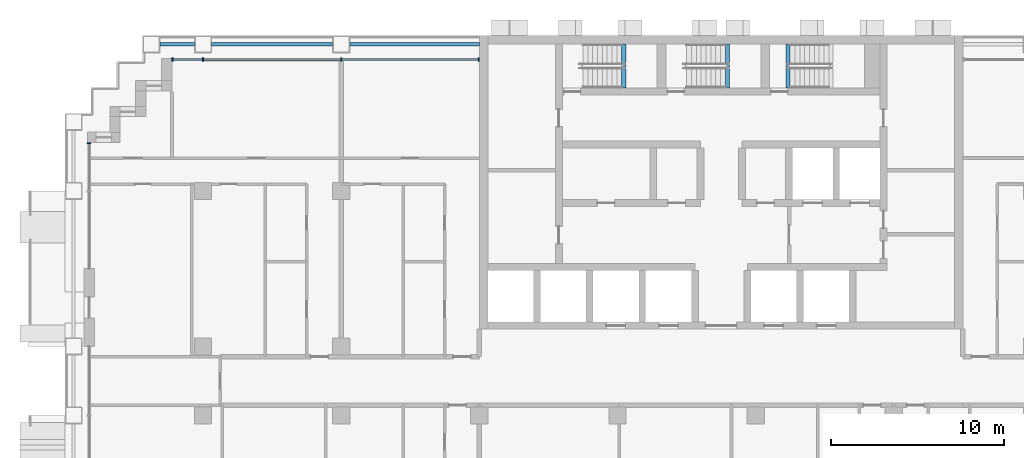
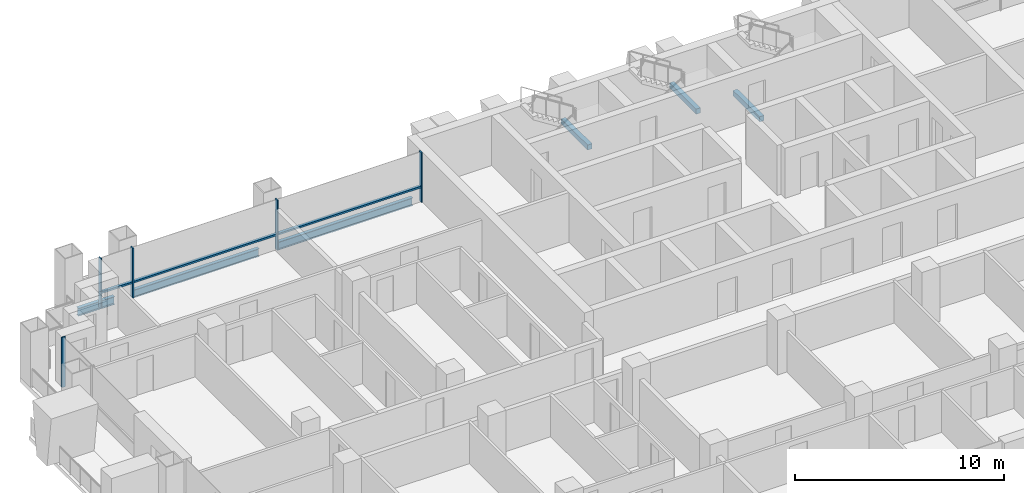
# One storey, part 4 of 18: 8 members, 6 beams, 2 elements without a shape of their own.
"""IFC4 building model written with IfcOpenShell, lengths in metres."""

from ifc_helpers import new_model, si_unit, direction, frame, origin, origin_2d, place, context, subcontext, project, spatial, rectangle, i_section, extrude, material, material_profile, profile_set, type_object, element, aggregate, save


model = new_model("IFC4")

# Units and contexts
model_context = context("Model", 3, precision=1e-05, world=origin(), true_north=direction((0.0, 1.0)))
body_context = subcontext(model_context, "Body", "Model", "MODEL_VIEW")
ifc_project = project(units=[si_unit("LENGTHUNIT", "METRE"), si_unit("AREAUNIT", "SQUARE_METRE"), si_unit("VOLUMEUNIT", "CUBIC_METRE"), si_unit("PLANEANGLEUNIT", "RADIAN"), si_unit("MASSUNIT", "GRAM", prefix="KILO")], contexts=[model_context])

# Site, building, storey
site_placement = place(None, origin())
site = spatial("IfcSite", under=ifc_project, at=site_placement, CompositionType="ELEMENT")
building_placement = place(site_placement, origin())
building = spatial("IfcBuilding", under=site, at=building_placement, Name="Vidyagriha Tower", CompositionType="ELEMENT")
storey_placement = place(building_placement, frame((0.0, 0.0, 54.39990234375)))
storey = spatial("IfcBuildingStorey", under=building, at=storey_placement, Name="L14", CompositionType="ELEMENT", Elevation=54.39990234375)

# Beams
ifc_material_1 = material(Name="Steel ASTM A992 Grade 50", Category="steel")
ifc_material_profile_1 = material_profile(ifc_material_1, i_section(OverallWidth=0.19189453125, OverallDepth=0.46240234375, WebThickness=0.010498046875, FlangeThickness=0.017578125, at=origin_2d()), Name="W18X60")
ifc_profile_set_1 = profile_set([ifc_material_profile_1], Name="Steel ASTM A992 Grade 50")
beam_type_1 = type_object("IfcBeamType", Name="Edge beam W18X60", PredefinedType="SPANDREL", material=ifc_profile_set_1)
beam_1_placement = place(storey_placement, frame((-32.5, 19.5, -0.510986328125), z_axis=(1.0, 0.0, 0.0), x_axis=(0.0, 1.0, 0.0)))
element("IfcBeam", 1, at=beam_1_placement, inside=storey, type_object=beam_type_1, Name="st-beam-L14-NW20", PredefinedType="SPANDREL", context=body_context, shape_type="SweptSolid", body=[
    extrude(i_section(OverallWidth=0.19189453125, OverallDepth=0.46240234375, WebThickness=0.010498046875, FlangeThickness=0.017578125, at=origin_2d()), origin(), (0.0, 0.0, 1.0), 2.0),
])
beam_2_placement = place(storey_placement, frame((-29.5, 19.5, -0.510986328125), z_axis=(1.0, 0.0, 0.0), x_axis=(0.0, 1.0, 0.0)))
element("IfcBeam", 2, at=beam_2_placement, inside=storey, type_object=beam_type_1, Name="st-beam-L14-NW21", PredefinedType="SPANDREL", context=body_context, shape_type="SweptSolid", body=[
    extrude(i_section(OverallWidth=0.19189453125, OverallDepth=0.46240234375, WebThickness=0.010498046875, FlangeThickness=0.017578125, at=origin_2d()), origin(), (0.0, 0.0, 1.0), 7.0),
])
beam_3_placement = place(storey_placement, frame((-21.5, 19.5, -0.510986328125), z_axis=(1.0, 0.0, 0.0), x_axis=(0.0, 1.0, 0.0)))
element("IfcBeam", 3, at=beam_3_placement, inside=storey, type_object=beam_type_1, Name="st-beam-L14-NC24", PredefinedType="SPANDREL", context=body_context, shape_type="SweptSolid", body=[
    extrude(i_section(OverallWidth=0.19189453125, OverallDepth=0.46240234375, WebThickness=0.010498046875, FlangeThickness=0.017578125, at=origin_2d()), origin(), (0.0, 0.0, 1.0), 7.5),
])

# Curtain wall, members
ifc_material_2 = material(Name="Aluminium and glass curtain wall", Category="aluminium")
curtain_wall_type = type_object("IfcCurtainWallType", Name="Dwelling skin unitised curtain wall", PredefinedType="USERDEFINED", material=ifc_material_2)
curtain_wall_1_placement = place(storey_placement, origin())
curtain_wall_1 = element("IfcCurtainWall", 4, at=curtain_wall_1_placement, inside=storey, type_object=curtain_wall_type, Name="CW1 dwelling skin", ObjectType="UNITISED", PredefinedType="USERDEFINED")
ifc_material_3 = material(Name="Aluminium black anodised", Category="aluminium")
ifc_material_profile_2 = material_profile(ifc_material_3, rectangle(XDim=0.199951171875, YDim=0.070068359375, at=origin_2d()), Name="Mullion 70x200 black aluminium")
ifc_profile_set_2 = profile_set([ifc_material_profile_2], Name="Aluminium black anodised")
member_type_1 = type_object("IfcMemberType", Name="Mullion 70x200 black aluminium", PredefinedType="MULLION", material=ifc_profile_set_2)
member_1_placement = place(storey_placement, frame((-14.034912109375, 18.60009765625, 0.0), z_axis=(0.0, 0.0, 1.0), x_axis=(0.0, -1.0, 0.0)))
member_1 = element("IfcMember", 5, at=member_1_placement, type_object=member_type_1, Name="CW1 mullion 1", PredefinedType="MULLION", context=body_context, shape_type="SweptSolid", body=[
    extrude(rectangle(XDim=0.199951171875, YDim=0.070068359375, at=origin_2d()), origin(), (0.0, 0.0, 1.0), 2.920166015625),
])
member_2_placement = place(storey_placement, frame((-22.0, 18.60009765625, 0.0), z_axis=(0.0, 0.0, 1.0), x_axis=(0.0, -1.0, 0.0)))
member_2 = element("IfcMember", 6, at=member_2_placement, type_object=member_type_1, Name="CW1 mullion 2", PredefinedType="MULLION", context=body_context, shape_type="SweptSolid", body=[
    extrude(rectangle(XDim=0.199951171875, YDim=0.070068359375, at=origin_2d()), origin(), (0.0, 0.0, 1.0), 2.920166015625),
])
member_3_placement = place(storey_placement, frame((-30.0, 18.60009765625, 0.0), z_axis=(0.0, 0.0, 1.0), x_axis=(0.0, -1.0, 0.0)))
member_3 = element("IfcMember", 7, at=member_3_placement, type_object=member_type_1, Name="CW1 mullion 3", PredefinedType="MULLION", context=body_context, shape_type="SweptSolid", body=[
    extrude(rectangle(XDim=0.199951171875, YDim=0.070068359375, at=origin_2d()), origin(), (0.0, 0.0, 1.0), 2.920166015625),
])
member_4_placement = place(storey_placement, frame((-31.764892578125, 18.60009765625, 0.0), z_axis=(0.0, 0.0, 1.0), x_axis=(0.0, -1.0, 0.0)))
member_4 = element("IfcMember", 8, at=member_4_placement, type_object=member_type_1, Name="CW1 mullion 4", PredefinedType="MULLION", context=body_context, shape_type="SweptSolid", body=[
    extrude(rectangle(XDim=0.199951171875, YDim=0.070068359375, at=origin_2d()), origin(), (0.0, 0.0, 1.0), 2.920166015625),
])

# Curtain wall, member
curtain_wall_2_placement = place(storey_placement, origin())
curtain_wall_2 = element("IfcCurtainWall", 9, at=curtain_wall_2_placement, inside=storey, type_object=curtain_wall_type, Name="CW1 dwelling skin", ObjectType="UNITISED", PredefinedType="USERDEFINED")
member_5_placement = place(storey_placement, frame((-36.60009765625, 13.764892578125, 0.0)))
member_5 = element("IfcMember", 10, at=member_5_placement, type_object=member_type_1, Name="CW1 mullion 1", PredefinedType="MULLION", context=body_context, shape_type="SweptSolid", body=[
    extrude(rectangle(XDim=0.199951171875, YDim=0.070068359375, at=origin_2d()), origin(), (0.0, 0.0, 1.0), 2.920166015625),
])
aggregate(curtain_wall_2, [member_5])

# Beams
ifc_material_4 = material(Name="Concrete C40/50", Category="concrete")
ifc_material_profile_3 = material_profile(ifc_material_4, rectangle(XDim=0.25, YDim=0.300048828125, at=origin_2d()), Name="Stair landing bearing beam 250x300")
ifc_profile_set_3 = profile_set([ifc_material_profile_3], Name="Concrete C40/50")
beam_type_2 = type_object("IfcBeamType", Name="Stair landing bearing beam 250x300", PredefinedType="BEAM", material=ifc_profile_set_3)
for number, where, z_axis, x_axis, name in (
    (11, (3.875, 16.949951171875, -0.429931640625), (0.0, 1.0, 0.0), (-1.0, 0.0, 0.0), "ST3 floor landing bearing beam L14"),
    (12, (-5.635009765625, 16.949951171875, 1.25), (0.0, 1.0, 0.0), (-1.0, 0.0, 0.0), "ST1 landing bearing beam L14"),
    (13, (0.364990234375, 16.949951171875, 1.25), (0.0, 1.0, 0.0), (-1.0, 0.0, 0.0), "ST2 landing bearing beam L14"),
):
    element("IfcBeam", number, at=place(storey_placement, frame(where, z_axis=z_axis, x_axis=x_axis)), inside=storey, type_object=beam_type_2, Name=name, PredefinedType="BEAM", context=body_context, shape_type="SweptSolid", body=[
        extrude(rectangle(XDim=0.25, YDim=0.300048828125, at=origin_2d()), origin(), (0.0, 0.0, 1.0), 2.550048828125),
    ])

# Member
ifc_material_5 = material(Name="Aluminium black anodised", Category="aluminium")
ifc_material_profile_4 = material_profile(ifc_material_5, rectangle(XDim=0.159912109375, YDim=0.10009765625, at=origin_2d()), Name="Transom 100x160 black aluminium")
ifc_profile_set_4 = profile_set([ifc_material_profile_4], Name="Aluminium black anodised")
member_type_2 = type_object("IfcMemberType", Name="Transom 100x160 black aluminium", PredefinedType="USERDEFINED", material=ifc_profile_set_4)
member_6_placement = place(storey_placement, frame((-14.070068359375, 18.60009765625, 0.900146484375), z_axis=(-1.0, 0.0, 0.0), x_axis=(0.0, -1.0, 0.0)))
member_6 = element("IfcMember", 14, at=member_6_placement, type_object=member_type_2, Name="CW1 transom 1.1", ObjectType="TRANSOM", PredefinedType="USERDEFINED", context=body_context, shape_type="SweptSolid", body=[
    extrude(rectangle(XDim=0.159912109375, YDim=0.10009765625, at=origin_2d()), origin(), (0.0, 0.0, 1.0), 7.89501953125),
])

member_7_placement = place(storey_placement, frame((-22.034912109375, 18.60009765625, 0.900146484375), z_axis=(-1.0, 0.0, 0.0), x_axis=(0.0, -1.0, 0.0)))
member_7 = element("IfcMember", 15, at=member_7_placement, type_object=member_type_2, Name="CW1 transom 2.1", ObjectType="TRANSOM", PredefinedType="USERDEFINED", context=body_context, shape_type="SweptSolid", body=[
    extrude(rectangle(XDim=0.159912109375, YDim=0.10009765625, at=origin_2d()), origin(), (0.0, 0.0, 1.0), 7.93017578125),
])

member_8_placement = place(storey_placement, frame((-30.034912109375, 18.60009765625, 0.900146484375), z_axis=(-1.0, 0.0, 0.0), x_axis=(0.0, -1.0, 0.0)))
member_8 = element("IfcMember", 16, at=member_8_placement, type_object=member_type_2, Name="CW1 transom 3.1", ObjectType="TRANSOM", PredefinedType="USERDEFINED", context=body_context, shape_type="SweptSolid", body=[
    extrude(rectangle(XDim=0.159912109375, YDim=0.10009765625, at=origin_2d()), origin(), (0.0, 0.0, 1.0), 1.695068359375),
])

aggregate(curtain_wall_1, [member_1, member_2, member_3, member_4, member_6, member_7, member_8])

save(model, "model.ifc")
